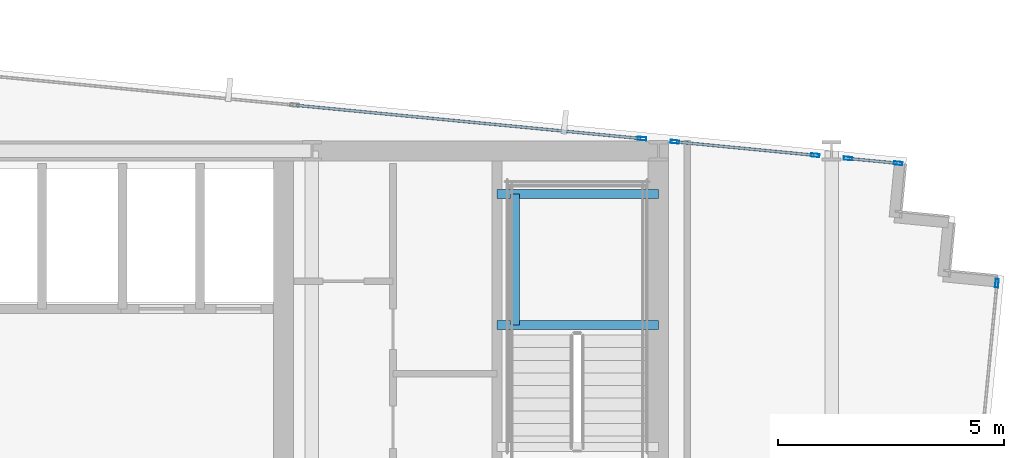
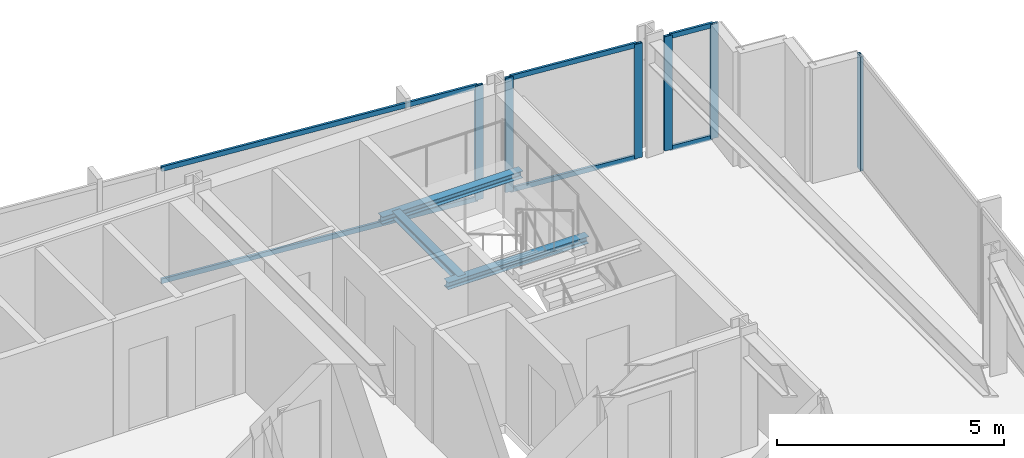
# One storey, part 27 of 36: 12 members, 3 beams, 4 elements without a shape of their own.
"""IFC4 building model written with IfcOpenShell, lengths in metres."""

from ifc_helpers import new_model, si_unit, direction, frame, origin, origin_2d, place, context, subcontext, project, spatial, hollow_rectangle, i_section, extrude, material, material_profile, profile_set, type_object, element, aggregate, save


model = new_model("IFC4")

# Units and contexts
model_context = context("Model", 3, precision=1e-05, world=origin(), true_north=direction((0.0, 1.0)))
body_context = subcontext(model_context, "Body", "Model", "MODEL_VIEW")
ifc_project = project(units=[si_unit("LENGTHUNIT", "METRE"), si_unit("AREAUNIT", "SQUARE_METRE"), si_unit("VOLUMEUNIT", "CUBIC_METRE"), si_unit("PLANEANGLEUNIT", "RADIAN"), si_unit("MASSUNIT", "GRAM", prefix="KILO")], contexts=[model_context])

# Site, building, storey
site_placement = place(None, origin())
site = spatial("IfcSite", under=ifc_project, at=site_placement, CompositionType="ELEMENT")
building_placement = place(site_placement, origin())
building = spatial("IfcBuilding", under=site, at=building_placement, Name="Yelkora Congress Tower", CompositionType="ELEMENT")
storey_placement = place(building_placement, frame((0.0, 0.0, 152.300048828125)))
storey = spatial("IfcBuildingStorey", under=building, at=storey_placement, Name="L41", CompositionType="ELEMENT", Elevation=152.300048828125)

# Beams
ifc_material_1 = material(Name="Steel S355J2", Category="steel")
ifc_material_profile_1 = material_profile(ifc_material_1, i_section(OverallWidth=0.199951171875, OverallDepth=0.18994140625, WebThickness=0.006591796875, FlangeThickness=0.010009765625, FilletRadius=0.01806640625, at=origin_2d()), Name="HEA 200")
ifc_profile_set_1 = profile_set([ifc_material_profile_1], Name="Steel S355J2")
beam_type = type_object("IfcBeamType", Name="BM-LAND-HEA200", PredefinedType="BEAM", material=ifc_profile_set_1)
for number, where, z_axis, x_axis, name in (
    (1, (50.179931640625, 42.340087890625, 1.33447265625), (1.0, 0.0, 0.0), (0.0, 1.0, 0.0), "ST-02 L41 Landing Header Beam 1S"),
    (2, (50.179931640625, 45.25, 1.33447265625), (1.0, 0.0, 0.0), (0.0, 1.0, 0.0), "ST-02 L41 Landing Header Beam 1N"),
):
    element("IfcBeam", number, at=place(storey_placement, frame(where, z_axis=z_axis, x_axis=x_axis)), inside=storey, type_object=beam_type, Name=name, PredefinedType="BEAM", context=body_context, shape_type="SweptSolid", body=[
        extrude(i_section(OverallWidth=0.199951171875, OverallDepth=0.18994140625, WebThickness=0.006591796875, FlangeThickness=0.010009765625, FilletRadius=0.01806640625, at=origin_2d()), origin(), (0.0, 0.0, 1.0), 3.580078125),
    ])
beam_placement = place(storey_placement, frame((50.580078125, 42.340087890625, 1.33447265625), z_axis=(0.0, 1.0, 0.0), x_axis=(-1.0, 0.0, 0.0)))
element("IfcBeam", 3, at=beam_placement, inside=storey, type_object=beam_type, Name="ST-02 L41 Landing Trimmer Beam 1M", PredefinedType="BEAM", context=body_context, shape_type="SweptSolid", body=[
    extrude(i_section(OverallWidth=0.199951171875, OverallDepth=0.18994140625, WebThickness=0.006591796875, FlangeThickness=0.010009765625, FilletRadius=0.01806640625, at=origin_2d()), origin(), (0.0, 0.0, 1.0), 2.909912109375),
])

# Curtain wall, member
ifc_material_2 = material(Name="Anodised aluminium and insulated glass", Category="aluminium")
curtain_wall_type = type_object("IfcCurtainWallType", Name="CW-SYS-B3", PredefinedType="NOTDEFINED", material=ifc_material_2)
curtain_wall_1_placement = place(storey_placement, origin())
curtain_wall_1 = element("IfcCurtainWall", 4, at=curtain_wall_1_placement, inside=storey, type_object=curtain_wall_type, Name="L41 Unitised Curtain Wall 10 (1)", PredefinedType="NOTDEFINED")
ifc_material_3 = material(Name="Anodised aluminium 6063-T6", Category="aluminium")
ifc_material_profile_2 = material_profile(ifc_material_3, hollow_rectangle(XDim=0.070068359375, YDim=0.18994140625, WallThickness=0.00390625, at=origin_2d()), Name="ALU 70x190x4")
ifc_profile_set_2 = profile_set([ifc_material_profile_2], Name="Anodised aluminium 6063-T6")
member_type_1 = type_object("IfcMemberType", Name="MEM-ML-B3", PredefinedType="MULLION", material=ifc_profile_set_2)
member_1_placement = place(storey_placement, frame((53.396240234375, 46.47314453125, 0.0), z_axis=(0.0, 0.0, 1.0), x_axis=(0.095844761168, 0.995396293823, 0.0)))
member_1 = element("IfcMember", 5, at=member_1_placement, type_object=member_type_1, Name="CW-B3 mullion 7", PredefinedType="MULLION", context=body_context, shape_type="SweptSolid", body=[
    extrude(hollow_rectangle(XDim=0.070068359375, YDim=0.18994140625, WallThickness=0.00390625, at=origin_2d()), origin(), (0.0, 0.0, 1.0), 3.079833984375),
])

# Curtain wall, members
curtain_wall_2_placement = place(storey_placement, origin())
curtain_wall_2 = element("IfcCurtainWall", 6, at=curtain_wall_2_placement, inside=storey, type_object=curtain_wall_type, Name="L41 Unitised Curtain Wall 10 (2)", PredefinedType="NOTDEFINED")
member_2_placement = place(storey_placement, frame((54.123779296875, 46.40283203125, 0.0), z_axis=(0.0, 0.0, 1.0), x_axis=(0.095848309157, 0.995395952188, 0.0)))
member_2 = element("IfcMember", 7, at=member_2_placement, type_object=member_type_1, Name="CW-B3 mullion 1", PredefinedType="MULLION", context=body_context, shape_type="SweptSolid", body=[
    extrude(hollow_rectangle(XDim=0.070068359375, YDim=0.18994140625, WallThickness=0.00390625, at=origin_2d()), origin(), (0.0, 0.0, 1.0), 3.079833984375),
])
member_3_placement = place(storey_placement, frame((57.236083984375, 46.103271484375, 0.0), z_axis=(0.0, 0.0, 1.0), x_axis=(0.095848309157, 0.995395952188, 0.0)))
member_3 = element("IfcMember", 8, at=member_3_placement, type_object=member_type_1, Name="CW-B3 mullion 2", PredefinedType="MULLION", context=body_context, shape_type="SweptSolid", body=[
    extrude(hollow_rectangle(XDim=0.070068359375, YDim=0.18994140625, WallThickness=0.00390625, at=origin_2d()), origin(), (0.0, 0.0, 1.0), 3.079833984375),
])

curtain_wall_3_placement = place(storey_placement, origin())
curtain_wall_3 = element("IfcCurtainWall", 9, at=curtain_wall_3_placement, inside=storey, type_object=curtain_wall_type, Name="L41 Unitised Curtain Wall 10 (3)", PredefinedType="NOTDEFINED")
member_4_placement = place(storey_placement, frame((57.9638671875, 46.033203125, 0.0), z_axis=(0.0, 0.0, 1.0), x_axis=(0.095852281686, 0.995395569658, 0.0)))
member_4 = element("IfcMember", 10, at=member_4_placement, type_object=member_type_1, Name="CW-B3 mullion 1", PredefinedType="MULLION", context=body_context, shape_type="SweptSolid", body=[
    extrude(hollow_rectangle(XDim=0.070068359375, YDim=0.18994140625, WallThickness=0.00390625, at=origin_2d()), origin(), (0.0, 0.0, 1.0), 3.079833984375),
])
member_5_placement = place(storey_placement, frame((59.073974609375, 45.92626953125, 0.0), z_axis=(0.0, 0.0, 1.0), x_axis=(0.095852281686, 0.995395569658, 0.0)))
member_5 = element("IfcMember", 11, at=member_5_placement, type_object=member_type_1, Name="CW-B3 mullion 2", PredefinedType="MULLION", context=body_context, shape_type="SweptSolid", body=[
    extrude(hollow_rectangle(XDim=0.070068359375, YDim=0.18994140625, WallThickness=0.00390625, at=origin_2d()), origin(), (0.0, 0.0, 1.0), 3.079833984375),
])

# Curtain wall, member
curtain_wall_4_placement = place(storey_placement, origin())
curtain_wall_4 = element("IfcCurtainWall", 12, at=curtain_wall_4_placement, inside=storey, type_object=curtain_wall_type, Name="L41 Unitised Curtain Wall 15", PredefinedType="NOTDEFINED")
member_6_placement = place(storey_placement, frame((61.26416015625, 43.26904296875, 0.0), z_axis=(0.0, 0.0, 1.0), x_axis=(0.995396565076, -0.095841944023, 0.0)))
member_6 = element("IfcMember", 13, at=member_6_placement, type_object=member_type_1, Name="CW-B3 mullion 1", PredefinedType="MULLION", context=body_context, shape_type="SweptSolid", body=[
    extrude(hollow_rectangle(XDim=0.070068359375, YDim=0.18994140625, WallThickness=0.00390625, at=origin_2d()), origin(), (0.0, 0.0, 1.0), 3.079833984375),
])
aggregate(curtain_wall_4, [member_6])

# Member
ifc_material_profile_3 = material_profile(ifc_material_3, hollow_rectangle(XDim=0.06005859375, YDim=0.1298828125, WallThickness=0.00390625, at=origin_2d()), Name="ALU 60x130x4")
ifc_profile_set_3 = profile_set([ifc_material_profile_3], Name="Anodised aluminium 6063-T6")
member_type_2 = type_object("IfcMemberType", Name="MEM-TR-B3", PredefinedType="USERDEFINED", material=ifc_profile_set_3)
member_7_placement = place(storey_placement, frame((45.732177734375, 47.2109375, 0.030029296875), z_axis=(0.99539600529, -0.095847757686, 0.0), x_axis=(0.095847757686, 0.99539600529, 0.0)))
member_7 = element("IfcMember", 14, at=member_7_placement, type_object=member_type_2, Name="CW-B3 transom 6.1", ObjectType="TRANSOM", PredefinedType="USERDEFINED", context=body_context, shape_type="SweptSolid", body=[
    extrude(hollow_rectangle(XDim=0.06005859375, YDim=0.1298828125, WallThickness=0.00390625, at=origin_2d()), origin(), (0.0, 0.0, 1.0), 7.66455078125),
])

member_8_placement = place(storey_placement, frame((45.732177734375, 47.2109375, 3.050048828125), z_axis=(0.99539600529, -0.095847757686, 0.0), x_axis=(0.095847757686, 0.99539600529, 0.0)))
member_8 = element("IfcMember", 15, at=member_8_placement, type_object=member_type_2, Name="CW-B3 transom 6.2", ObjectType="TRANSOM", PredefinedType="USERDEFINED", context=body_context, shape_type="SweptSolid", body=[
    extrude(hollow_rectangle(XDim=0.06005859375, YDim=0.1298828125, WallThickness=0.00390625, at=origin_2d()), origin(), (0.0, 0.0, 1.0), 7.66455078125),
])

aggregate(curtain_wall_1, [member_1, member_7, member_8])

member_9_placement = place(storey_placement, frame((54.15869140625, 46.399658203125, 0.030029296875), z_axis=(0.995396582455, -0.095841763536, 0.0), x_axis=(0.095841763536, 0.995396582455, 0.0)))
member_9 = element("IfcMember", 16, at=member_9_placement, type_object=member_type_2, Name="CW-B3 transom 1.1", ObjectType="TRANSOM", PredefinedType="USERDEFINED", context=body_context, shape_type="SweptSolid", body=[
    extrude(hollow_rectangle(XDim=0.06005859375, YDim=0.1298828125, WallThickness=0.00390625, at=origin_2d()), origin(), (0.0, 0.0, 1.0), 3.056884765625),
])

member_10_placement = place(storey_placement, frame((54.15869140625, 46.399658203125, 3.050048828125), z_axis=(0.995396582455, -0.095841763536, 0.0), x_axis=(0.095841763536, 0.995396582455, 0.0)))
member_10 = element("IfcMember", 17, at=member_10_placement, type_object=member_type_2, Name="CW-B3 transom 1.2", ObjectType="TRANSOM", PredefinedType="USERDEFINED", context=body_context, shape_type="SweptSolid", body=[
    extrude(hollow_rectangle(XDim=0.06005859375, YDim=0.1298828125, WallThickness=0.00390625, at=origin_2d()), origin(), (0.0, 0.0, 1.0), 3.056884765625),
])

aggregate(curtain_wall_2, [member_2, member_3, member_9, member_10])

member_11_placement = place(storey_placement, frame((57.998779296875, 46.02978515625, 0.030029296875), z_axis=(0.995402606714, -0.095779175957, 0.0), x_axis=(0.095779175957, 0.995402606714, 0.0)))
member_11 = element("IfcMember", 18, at=member_11_placement, type_object=member_type_2, Name="CW-B3 transom 1.1", ObjectType="TRANSOM", PredefinedType="USERDEFINED", context=body_context, shape_type="SweptSolid", body=[
    extrude(hollow_rectangle(XDim=0.06005859375, YDim=0.1298828125, WallThickness=0.00390625, at=origin_2d()), origin(), (0.0, 0.0, 1.0), 1.045166015625),
])

member_12_placement = place(storey_placement, frame((57.998779296875, 46.02978515625, 3.050048828125), z_axis=(0.995402606714, -0.095779175957, 0.0), x_axis=(0.095779175957, 0.995402606714, 0.0)))
member_12 = element("IfcMember", 19, at=member_12_placement, type_object=member_type_2, Name="CW-B3 transom 1.2", ObjectType="TRANSOM", PredefinedType="USERDEFINED", context=body_context, shape_type="SweptSolid", body=[
    extrude(hollow_rectangle(XDim=0.06005859375, YDim=0.1298828125, WallThickness=0.00390625, at=origin_2d()), origin(), (0.0, 0.0, 1.0), 1.045166015625),
])

aggregate(curtain_wall_3, [member_4, member_5, member_11, member_12])

save(model, "model.ifc")
